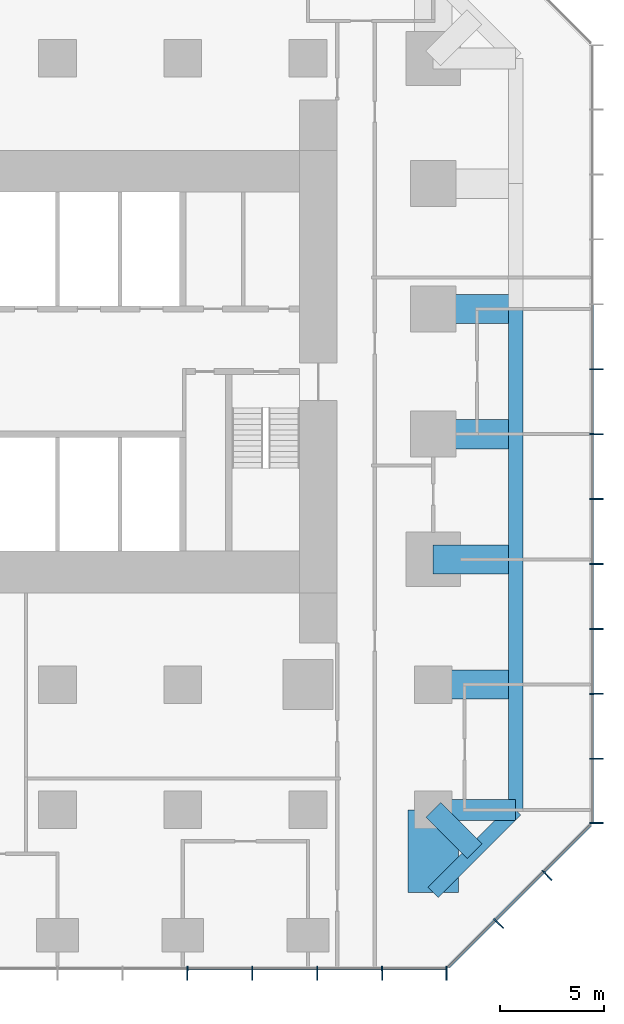
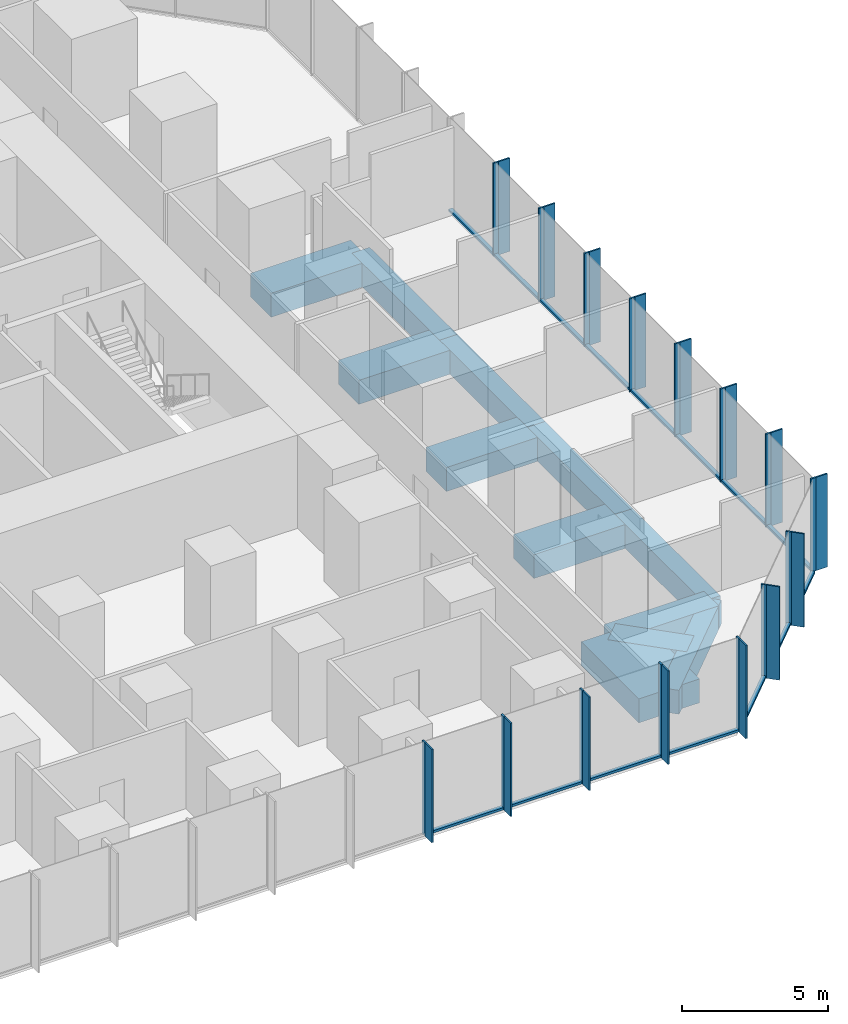
# One storey, part 4 of 12: 45 members, 12 beams, 3 elements without a shape of their own.
"""IFC4 building model written with IfcOpenShell, lengths in metres."""

from ifc_helpers import new_model, si_unit, direction, frame, origin, origin_2d, place, context, subcontext, project, spatial, rectangle, extrude, material, layer, layer_set, material_profile, profile_set, type_object, element, aggregate, save


model = new_model("IFC4")

# Units and contexts
model_context = context("Model", 3, precision=1e-05, world=origin(), true_north=direction((0.0, 1.0)))
body_context = subcontext(model_context, "Body", "Model", "MODEL_VIEW")
ifc_project = project(units=[si_unit("LENGTHUNIT", "METRE"), si_unit("AREAUNIT", "SQUARE_METRE"), si_unit("VOLUMEUNIT", "CUBIC_METRE"), si_unit("PLANEANGLEUNIT", "RADIAN"), si_unit("MASSUNIT", "GRAM", prefix="KILO")], contexts=[model_context])

# Site, building, storey
site_placement = place(None, origin())
site = spatial("IfcSite", under=ifc_project, at=site_placement, CompositionType="ELEMENT")
building_placement = place(site_placement, origin())
building = spatial("IfcBuilding", under=site, at=building_placement, Name="Highveld Stack Headquarters", CompositionType="ELEMENT")
storey_placement = place(building_placement, frame((0.0, 0.0, 57.199951171875)))
storey = spatial("IfcBuildingStorey", under=building, at=storey_placement, Name="L13", CompositionType="ELEMENT", Elevation=57.199951171875)

# Beams
ifc_material_1 = material(Name="Concrete C60/75", Category="concrete")
ifc_material_profile_1 = material_profile(ifc_material_1, rectangle(XDim=1.0, YDim=1.0, at=origin_2d()), Name="RC 1000x1000")
ifc_profile_set_1 = profile_set([ifc_material_profile_1], Name="Concrete C60/75")
beam_type_1 = type_object("IfcBeamType", Name="CANTILEVER RIB RC 1000x1000", PredefinedType="USERDEFINED", material=ifc_profile_set_1)
beam_1_placement = place(storey_placement, frame((24.0, -18.0, -0.75), z_axis=(1.0, 0.0, 0.0), x_axis=(0.0, 1.0, 0.0)))
element("IfcBeam", 1, at=beam_1_placement, inside=storey, type_object=beam_type_1, Name="Cantilever rib 10/B L13", ObjectType="CANTILEVER RIB", PredefinedType="USERDEFINED", context=body_context, shape_type="SweptSolid", body=[
    extrude(rectangle(XDim=1.0, YDim=1.0, at=origin_2d()), origin(), (0.0, 0.0, 1.0), 3.949951171875),
])
beam_2_placement = place(storey_placement, frame((24.0, -18.0, -0.75), z_axis=(0.707106781187, -0.707106781187, 0.0), x_axis=(0.707106781187, 0.707106781187, 0.0)))
element("IfcBeam", 2, at=beam_2_placement, inside=storey, type_object=beam_type_1, Name="Cantilever rib 10/B L13", ObjectType="CANTILEVER RIB", PredefinedType="USERDEFINED", context=body_context, shape_type="SweptSolid", body=[
    extrude(rectangle(XDim=1.0, YDim=1.0, at=origin_2d()), origin(), (0.0, 0.0, 1.0), 2.793212890625),
])
ifc_material_2 = material(Name="Concrete C60/75", Category="concrete")
ifc_material_profile_2 = material_profile(ifc_material_2, rectangle(XDim=1.39990234375, YDim=1.0, at=origin_2d()), Name="RC 1400x1000")
ifc_profile_set_2 = profile_set([ifc_material_profile_2], Name="Concrete C60/75")
beam_type_2 = type_object("IfcBeamType", Name="CANTILEVER RIB RC 1400x1000", PredefinedType="USERDEFINED", material=ifc_profile_set_2)
for number, where, z_axis, x_axis, name in (
    (3, (24.0, -12.0, -0.75), (1.0, 0.0, 0.0), (0.0, 1.0, 0.0), "Cantilever rib 10/C L13"),
    (4, (24.0, -6.0, -0.75), (1.0, 0.0, 0.0), (0.0, 1.0, 0.0), "Cantilever rib 10/D L13"),
    (5, (24.0, 0.0, -0.75), (1.0, 0.0, 0.0), (0.0, 1.0, 0.0), "Cantilever rib 10/E L13"),
    (6, (24.0, 6.0, -0.75), (1.0, 0.0, 0.0), (0.0, 1.0, 0.0), "Cantilever rib 10/F L13"),
):
    element("IfcBeam", number, at=place(storey_placement, frame(where, z_axis=z_axis, x_axis=x_axis)), inside=storey, type_object=beam_type_2, Name=name, ObjectType="CANTILEVER RIB", PredefinedType="USERDEFINED", context=body_context, shape_type="SweptSolid", body=[
        extrude(rectangle(XDim=1.39990234375, YDim=1.0, at=origin_2d()), origin(), (0.0, 0.0, 1.0), 3.949951171875),
    ])
ifc_material_3 = material(Name="Concrete C60/75", Category="concrete")
ifc_material_profile_3 = material_profile(ifc_material_3, rectangle(XDim=2.39990234375, YDim=1.0, at=origin_2d()), Name="RC 2400x1000")
ifc_profile_set_3 = profile_set([ifc_material_profile_3], Name="Concrete C60/75")
beam_type_3 = type_object("IfcBeamType", Name="CANTILEVER RIB RC 2400x1000", PredefinedType="USERDEFINED", material=ifc_profile_set_3)
beam_3_placement = place(storey_placement, frame((24.0, -18.0, -0.75), z_axis=(0.0, -1.0, 0.0), x_axis=(1.0, 0.0, 0.0)))
element("IfcBeam", 7, at=beam_3_placement, inside=storey, type_object=beam_type_3, Name="Cantilever rib 10/B L13", ObjectType="CANTILEVER RIB", PredefinedType="USERDEFINED", context=body_context, shape_type="SweptSolid", body=[
    extrude(rectangle(XDim=2.39990234375, YDim=1.0, at=origin_2d()), origin(), (0.0, 0.0, 1.0), 3.949951171875),
])

# Curtain wall, members
ifc_material_4 = material(Name="Aluminium bronze anodised", Category="aluminium")
ifc_layer_1 = layer(ifc_material_4, 0.199951171875)
ifc_layer_set_1 = layer_set([ifc_layer_1], Name="Aluminium bronze anodised")
curtain_wall_type_1 = type_object("IfcCurtainWallType", Name="CW1 TOWER UNITISED CURTAIN WALL", PredefinedType="NOTDEFINED", material=ifc_layer_set_1)
curtain_wall_1_placement = place(storey_placement, origin())
curtain_wall_1 = element("IfcCurtainWall", 8, at=curtain_wall_1_placement, inside=storey, type_object=curtain_wall_type_1, Name="Curtain wall CW1 L13 S", PredefinedType="NOTDEFINED")
ifc_material_5 = material(Name="Aluminium bronze anodised", Category="aluminium")
ifc_material_profile_4 = material_profile(ifc_material_5, rectangle(XDim=0.449951171875, YDim=0.06005859375, at=origin_2d()), Name="FIN 450x60")
ifc_profile_set_4 = profile_set([ifc_material_profile_4], Name="Aluminium bronze anodised")
member_type_1 = type_object("IfcMemberType", Name="CW1 BRONZE FIN 450x60", PredefinedType="USERDEFINED", material=ifc_profile_set_4)
member_1_placement = place(storey_placement, frame((12.220947265625, -25.925048828125, 0.0), z_axis=(0.0, 0.0, 1.0), x_axis=(0.0, 1.0, 0.0)))
member_1 = element("IfcMember", 9, at=member_1_placement, type_object=member_type_1, Name="CW1 fin L13 9", ObjectType="FIN", PredefinedType="USERDEFINED", context=body_context, shape_type="SweptSolid", body=[
    extrude(rectangle(XDim=0.449951171875, YDim=0.06005859375, at=origin_2d()), origin(), (0.0, 0.0, 1.0), 3.900146484375),
])
member_2_placement = place(storey_placement, frame((15.331298828125, -25.925048828125, 0.0), z_axis=(0.0, 0.0, 1.0), x_axis=(0.0, 1.0, 0.0)))
member_2 = element("IfcMember", 10, at=member_2_placement, type_object=member_type_1, Name="CW1 fin L13 10", ObjectType="FIN", PredefinedType="USERDEFINED", context=body_context, shape_type="SweptSolid", body=[
    extrude(rectangle(XDim=0.449951171875, YDim=0.06005859375, at=origin_2d()), origin(), (0.0, 0.0, 1.0), 3.900146484375),
])
member_3_placement = place(storey_placement, frame((18.44189453125, -25.925048828125, 0.0), z_axis=(0.0, 0.0, 1.0), x_axis=(0.0, 1.0, 0.0)))
member_3 = element("IfcMember", 11, at=member_3_placement, type_object=member_type_1, Name="CW1 fin L13 11", ObjectType="FIN", PredefinedType="USERDEFINED", context=body_context, shape_type="SweptSolid", body=[
    extrude(rectangle(XDim=0.449951171875, YDim=0.06005859375, at=origin_2d()), origin(), (0.0, 0.0, 1.0), 3.900146484375),
])
member_4_placement = place(storey_placement, frame((21.55224609375, -25.925048828125, 0.0), z_axis=(0.0, 0.0, 1.0), x_axis=(0.0, 1.0, 0.0)))
member_4 = element("IfcMember", 12, at=member_4_placement, type_object=member_type_1, Name="CW1 fin L13 12", ObjectType="FIN", PredefinedType="USERDEFINED", context=body_context, shape_type="SweptSolid", body=[
    extrude(rectangle(XDim=0.449951171875, YDim=0.06005859375, at=origin_2d()), origin(), (0.0, 0.0, 1.0), 3.900146484375),
])
member_5_placement = place(storey_placement, frame((24.630126953125, -25.925048828125, 0.0), z_axis=(0.0, 0.0, 1.0), x_axis=(0.0, 1.0, 0.0)))
member_5 = element("IfcMember", 13, at=member_5_placement, type_object=member_type_1, Name="CW1 fin L13 13", ObjectType="FIN", PredefinedType="USERDEFINED", context=body_context, shape_type="SweptSolid", body=[
    extrude(rectangle(XDim=0.449951171875, YDim=0.06005859375, at=origin_2d()), origin(), (0.0, 0.0, 1.0), 3.900146484375),
])

curtain_wall_2_placement = place(storey_placement, origin())
curtain_wall_2 = element("IfcCurtainWall", 14, at=curtain_wall_2_placement, inside=storey, type_object=curtain_wall_type_1, Name="Curtain wall CW1 L13 E", PredefinedType="NOTDEFINED")
member_6_placement = place(storey_placement, frame((31.925048828125, -18.630126953125, 0.0), z_axis=(0.0, 0.0, 1.0), x_axis=(-1.0, 0.0, 0.0)))
member_6 = element("IfcMember", 15, at=member_6_placement, type_object=member_type_1, Name="CW1 fin L13 1", ObjectType="FIN", PredefinedType="USERDEFINED", context=body_context, shape_type="SweptSolid", body=[
    extrude(rectangle(XDim=0.449951171875, YDim=0.06005859375, at=origin_2d()), origin(), (0.0, 0.0, 1.0), 3.900146484375),
])
member_7_placement = place(storey_placement, frame((31.925048828125, -15.55224609375, 0.0), z_axis=(0.0, 0.0, 1.0), x_axis=(-1.0, 0.0, 0.0)))
member_7 = element("IfcMember", 16, at=member_7_placement, type_object=member_type_1, Name="CW1 fin L13 2", ObjectType="FIN", PredefinedType="USERDEFINED", context=body_context, shape_type="SweptSolid", body=[
    extrude(rectangle(XDim=0.449951171875, YDim=0.06005859375, at=origin_2d()), origin(), (0.0, 0.0, 1.0), 3.900146484375),
])
member_8_placement = place(storey_placement, frame((31.925048828125, -12.44189453125, 0.0), z_axis=(0.0, 0.0, 1.0), x_axis=(-1.0, 0.0, 0.0)))
member_8 = element("IfcMember", 17, at=member_8_placement, type_object=member_type_1, Name="CW1 fin L13 3", ObjectType="FIN", PredefinedType="USERDEFINED", context=body_context, shape_type="SweptSolid", body=[
    extrude(rectangle(XDim=0.449951171875, YDim=0.06005859375, at=origin_2d()), origin(), (0.0, 0.0, 1.0), 3.900146484375),
])
member_9_placement = place(storey_placement, frame((31.925048828125, -9.331298828125, 0.0), z_axis=(0.0, 0.0, 1.0), x_axis=(-1.0, 0.0, 0.0)))
member_9 = element("IfcMember", 18, at=member_9_placement, type_object=member_type_1, Name="CW1 fin L13 4", ObjectType="FIN", PredefinedType="USERDEFINED", context=body_context, shape_type="SweptSolid", body=[
    extrude(rectangle(XDim=0.449951171875, YDim=0.06005859375, at=origin_2d()), origin(), (0.0, 0.0, 1.0), 3.900146484375),
])
member_10_placement = place(storey_placement, frame((31.925048828125, -6.220947265625, 0.0), z_axis=(0.0, 0.0, 1.0), x_axis=(-1.0, 0.0, 0.0)))
member_10 = element("IfcMember", 19, at=member_10_placement, type_object=member_type_1, Name="CW1 fin L13 5", ObjectType="FIN", PredefinedType="USERDEFINED", context=body_context, shape_type="SweptSolid", body=[
    extrude(rectangle(XDim=0.449951171875, YDim=0.06005859375, at=origin_2d()), origin(), (0.0, 0.0, 1.0), 3.900146484375),
])
member_11_placement = place(storey_placement, frame((31.925048828125, -3.110595703125, 0.0), z_axis=(0.0, 0.0, 1.0), x_axis=(-1.0, 0.0, 0.0)))
member_11 = element("IfcMember", 20, at=member_11_placement, type_object=member_type_1, Name="CW1 fin L13 6", ObjectType="FIN", PredefinedType="USERDEFINED", context=body_context, shape_type="SweptSolid", body=[
    extrude(rectangle(XDim=0.449951171875, YDim=0.06005859375, at=origin_2d()), origin(), (0.0, 0.0, 1.0), 3.900146484375),
])
member_12_placement = place(storey_placement, frame((31.925048828125, 0.0, 0.0), z_axis=(0.0, 0.0, 1.0), x_axis=(-1.0, 0.0, 0.0)))
member_12 = element("IfcMember", 21, at=member_12_placement, type_object=member_type_1, Name="CW1 fin L13 7", ObjectType="FIN", PredefinedType="USERDEFINED", context=body_context, shape_type="SweptSolid", body=[
    extrude(rectangle(XDim=0.449951171875, YDim=0.06005859375, at=origin_2d()), origin(), (0.0, 0.0, 1.0), 3.900146484375),
])
member_13_placement = place(storey_placement, frame((31.925048828125, 3.110595703125, 0.0), z_axis=(0.0, 0.0, 1.0), x_axis=(-1.0, 0.0, 0.0)))
member_13 = element("IfcMember", 22, at=member_13_placement, type_object=member_type_1, Name="CW1 fin L13 8", ObjectType="FIN", PredefinedType="USERDEFINED", context=body_context, shape_type="SweptSolid", body=[
    extrude(rectangle(XDim=0.449951171875, YDim=0.06005859375, at=origin_2d()), origin(), (0.0, 0.0, 1.0), 3.900146484375),
])

# Member
ifc_material_6 = material(Name="Aluminium bronze anodised", Category="aluminium")
ifc_material_profile_5 = material_profile(ifc_material_6, rectangle(XDim=0.199951171875, YDim=0.06494140625, at=origin_2d()), Name="CW1 MULLION 65x200")
ifc_profile_set_5 = profile_set([ifc_material_profile_5], Name="Aluminium bronze anodised")
member_type_2 = type_object("IfcMemberType", Name="CW1 MULLION 65x200", PredefinedType="MULLION", material=ifc_profile_set_5)
member_14_placement = place(storey_placement, frame((12.220947265625, -25.60009765625, 0.0), z_axis=(0.0, 0.0, 1.0), x_axis=(0.0, 1.0, 0.0)))
member_14 = element("IfcMember", 23, at=member_14_placement, type_object=member_type_2, Name="CW1 mullion L13 9", PredefinedType="MULLION", context=body_context, shape_type="SweptSolid", body=[
    extrude(rectangle(XDim=0.199951171875, YDim=0.06494140625, at=origin_2d()), origin(), (0.0, 0.0, 1.0), 3.900146484375),
])

member_15_placement = place(storey_placement, frame((15.331298828125, -25.60009765625, 0.0), z_axis=(0.0, 0.0, 1.0), x_axis=(0.0, 1.0, 0.0)))
member_15 = element("IfcMember", 24, at=member_15_placement, type_object=member_type_2, Name="CW1 mullion L13 10", PredefinedType="MULLION", context=body_context, shape_type="SweptSolid", body=[
    extrude(rectangle(XDim=0.199951171875, YDim=0.06494140625, at=origin_2d()), origin(), (0.0, 0.0, 1.0), 3.900146484375),
])

member_16_placement = place(storey_placement, frame((18.44189453125, -25.60009765625, 0.0), z_axis=(0.0, 0.0, 1.0), x_axis=(0.0, 1.0, 0.0)))
member_16 = element("IfcMember", 25, at=member_16_placement, type_object=member_type_2, Name="CW1 mullion L13 11", PredefinedType="MULLION", context=body_context, shape_type="SweptSolid", body=[
    extrude(rectangle(XDim=0.199951171875, YDim=0.06494140625, at=origin_2d()), origin(), (0.0, 0.0, 1.0), 3.900146484375),
])

member_17_placement = place(storey_placement, frame((21.55224609375, -25.60009765625, 0.0), z_axis=(0.0, 0.0, 1.0), x_axis=(0.0, 1.0, 0.0)))
member_17 = element("IfcMember", 26, at=member_17_placement, type_object=member_type_2, Name="CW1 mullion L13 12", PredefinedType="MULLION", context=body_context, shape_type="SweptSolid", body=[
    extrude(rectangle(XDim=0.199951171875, YDim=0.06494140625, at=origin_2d()), origin(), (0.0, 0.0, 1.0), 3.900146484375),
])

member_18_placement = place(storey_placement, frame((24.630126953125, -25.60009765625, 0.0), z_axis=(0.0, 0.0, 1.0), x_axis=(0.0, 1.0, 0.0)))
member_18 = element("IfcMember", 27, at=member_18_placement, type_object=member_type_2, Name="CW1 mullion L13 13", PredefinedType="MULLION", context=body_context, shape_type="SweptSolid", body=[
    extrude(rectangle(XDim=0.199951171875, YDim=0.06494140625, at=origin_2d()), origin(), (0.0, 0.0, 1.0), 3.900146484375),
])

member_19_placement = place(storey_placement, frame((31.60009765625, -18.630126953125, 0.0), z_axis=(0.0, 0.0, 1.0), x_axis=(-1.0, 0.0, 0.0)))
member_19 = element("IfcMember", 28, at=member_19_placement, type_object=member_type_2, Name="CW1 mullion L13 1", PredefinedType="MULLION", context=body_context, shape_type="SweptSolid", body=[
    extrude(rectangle(XDim=0.199951171875, YDim=0.06494140625, at=origin_2d()), origin(), (0.0, 0.0, 1.0), 3.900146484375),
])

member_20_placement = place(storey_placement, frame((31.60009765625, -15.55224609375, 0.0), z_axis=(0.0, 0.0, 1.0), x_axis=(-1.0, 0.0, 0.0)))
member_20 = element("IfcMember", 29, at=member_20_placement, type_object=member_type_2, Name="CW1 mullion L13 2", PredefinedType="MULLION", context=body_context, shape_type="SweptSolid", body=[
    extrude(rectangle(XDim=0.199951171875, YDim=0.06494140625, at=origin_2d()), origin(), (0.0, 0.0, 1.0), 3.900146484375),
])

member_21_placement = place(storey_placement, frame((31.60009765625, -12.44189453125, 0.0), z_axis=(0.0, 0.0, 1.0), x_axis=(-1.0, 0.0, 0.0)))
member_21 = element("IfcMember", 30, at=member_21_placement, type_object=member_type_2, Name="CW1 mullion L13 3", PredefinedType="MULLION", context=body_context, shape_type="SweptSolid", body=[
    extrude(rectangle(XDim=0.199951171875, YDim=0.06494140625, at=origin_2d()), origin(), (0.0, 0.0, 1.0), 3.900146484375),
])

member_22_placement = place(storey_placement, frame((31.60009765625, -9.331298828125, 0.0), z_axis=(0.0, 0.0, 1.0), x_axis=(-1.0, 0.0, 0.0)))
member_22 = element("IfcMember", 31, at=member_22_placement, type_object=member_type_2, Name="CW1 mullion L13 4", PredefinedType="MULLION", context=body_context, shape_type="SweptSolid", body=[
    extrude(rectangle(XDim=0.199951171875, YDim=0.06494140625, at=origin_2d()), origin(), (0.0, 0.0, 1.0), 3.900146484375),
])

member_23_placement = place(storey_placement, frame((31.60009765625, -6.220947265625, 0.0), z_axis=(0.0, 0.0, 1.0), x_axis=(-1.0, 0.0, 0.0)))
member_23 = element("IfcMember", 32, at=member_23_placement, type_object=member_type_2, Name="CW1 mullion L13 5", PredefinedType="MULLION", context=body_context, shape_type="SweptSolid", body=[
    extrude(rectangle(XDim=0.199951171875, YDim=0.06494140625, at=origin_2d()), origin(), (0.0, 0.0, 1.0), 3.900146484375),
])

member_24_placement = place(storey_placement, frame((31.60009765625, -3.110595703125, 0.0), z_axis=(0.0, 0.0, 1.0), x_axis=(-1.0, 0.0, 0.0)))
member_24 = element("IfcMember", 33, at=member_24_placement, type_object=member_type_2, Name="CW1 mullion L13 6", PredefinedType="MULLION", context=body_context, shape_type="SweptSolid", body=[
    extrude(rectangle(XDim=0.199951171875, YDim=0.06494140625, at=origin_2d()), origin(), (0.0, 0.0, 1.0), 3.900146484375),
])

member_25_placement = place(storey_placement, frame((31.60009765625, 0.0, 0.0), z_axis=(0.0, 0.0, 1.0), x_axis=(-1.0, 0.0, 0.0)))
member_25 = element("IfcMember", 34, at=member_25_placement, type_object=member_type_2, Name="CW1 mullion L13 7", PredefinedType="MULLION", context=body_context, shape_type="SweptSolid", body=[
    extrude(rectangle(XDim=0.199951171875, YDim=0.06494140625, at=origin_2d()), origin(), (0.0, 0.0, 1.0), 3.900146484375),
])

member_26_placement = place(storey_placement, frame((31.60009765625, 3.110595703125, 0.0), z_axis=(0.0, 0.0, 1.0), x_axis=(-1.0, 0.0, 0.0)))
member_26 = element("IfcMember", 35, at=member_26_placement, type_object=member_type_2, Name="CW1 mullion L13 8", PredefinedType="MULLION", context=body_context, shape_type="SweptSolid", body=[
    extrude(rectangle(XDim=0.199951171875, YDim=0.06494140625, at=origin_2d()), origin(), (0.0, 0.0, 1.0), 3.900146484375),
])

ifc_material_7 = material(Name="Aluminium bronze anodised", Category="aluminium")
ifc_material_profile_6 = material_profile(ifc_material_7, rectangle(XDim=0.14990234375, YDim=0.10009765625, at=origin_2d()), Name="CW1 TRANSOM 150x100")
ifc_profile_set_6 = profile_set([ifc_material_profile_6], Name="Aluminium bronze anodised")
member_type_3 = type_object("IfcMemberType", Name="CW1 STACK TRANSOM 150x100", PredefinedType="USERDEFINED", material=ifc_profile_set_6)
member_27_placement = place(storey_placement, frame((12.25341796875, -25.60009765625, 0.050048828125), z_axis=(1.0, 0.0, 0.0), x_axis=(0.0, 1.0, 0.0)))
member_27 = element("IfcMember", 36, at=member_27_placement, type_object=member_type_3, Name="CW1 transom L13 9.1", ObjectType="TRANSOM", PredefinedType="USERDEFINED", context=body_context, shape_type="SweptSolid", body=[
    extrude(rectangle(XDim=0.14990234375, YDim=0.10009765625, at=origin_2d()), origin(), (0.0, 0.0, 1.0), 3.04541015625),
])

member_28_placement = place(storey_placement, frame((15.364013671875, -25.60009765625, 0.050048828125), z_axis=(1.0, 0.0, 0.0), x_axis=(0.0, 1.0, 0.0)))
member_28 = element("IfcMember", 37, at=member_28_placement, type_object=member_type_3, Name="CW1 transom L13 10.1", ObjectType="TRANSOM", PredefinedType="USERDEFINED", context=body_context, shape_type="SweptSolid", body=[
    extrude(rectangle(XDim=0.14990234375, YDim=0.10009765625, at=origin_2d()), origin(), (0.0, 0.0, 1.0), 3.045166015625),
])

member_29_placement = place(storey_placement, frame((18.474365234375, -25.60009765625, 0.050048828125), z_axis=(1.0, 0.0, 0.0), x_axis=(0.0, 1.0, 0.0)))
member_29 = element("IfcMember", 38, at=member_29_placement, type_object=member_type_3, Name="CW1 transom L13 11.1", ObjectType="TRANSOM", PredefinedType="USERDEFINED", context=body_context, shape_type="SweptSolid", body=[
    extrude(rectangle(XDim=0.14990234375, YDim=0.10009765625, at=origin_2d()), origin(), (0.0, 0.0, 1.0), 3.04541015625),
])

member_30_placement = place(storey_placement, frame((21.584716796875, -25.60009765625, 0.050048828125), z_axis=(1.0, 0.0, 0.0), x_axis=(0.0, 1.0, 0.0)))
member_30 = element("IfcMember", 39, at=member_30_placement, type_object=member_type_3, Name="CW1 transom L13 12.1", ObjectType="TRANSOM", PredefinedType="USERDEFINED", context=body_context, shape_type="SweptSolid", body=[
    extrude(rectangle(XDim=0.14990234375, YDim=0.10009765625, at=origin_2d()), origin(), (0.0, 0.0, 1.0), 3.012939453125),
])

aggregate(curtain_wall_1, [member_14, member_1, member_15, member_2, member_16, member_3, member_17, member_4, member_18, member_5, member_27, member_28, member_29, member_30])

member_31_placement = place(storey_placement, frame((31.60009765625, -18.59765625, 0.050048828125), z_axis=(0.0, 1.0, 0.0), x_axis=(-1.0, 0.0, 0.0)))
member_31 = element("IfcMember", 40, at=member_31_placement, type_object=member_type_3, Name="CW1 transom L13 1.1", ObjectType="TRANSOM", PredefinedType="USERDEFINED", context=body_context, shape_type="SweptSolid", body=[
    extrude(rectangle(XDim=0.14990234375, YDim=0.10009765625, at=origin_2d()), origin(), (0.0, 0.0, 1.0), 3.012939453125),
])

member_32_placement = place(storey_placement, frame((31.60009765625, -15.519775390625, 0.050048828125), z_axis=(0.0, 1.0, 0.0), x_axis=(-1.0, 0.0, 0.0)))
member_32 = element("IfcMember", 41, at=member_32_placement, type_object=member_type_3, Name="CW1 transom L13 2.1", ObjectType="TRANSOM", PredefinedType="USERDEFINED", context=body_context, shape_type="SweptSolid", body=[
    extrude(rectangle(XDim=0.14990234375, YDim=0.10009765625, at=origin_2d()), origin(), (0.0, 0.0, 1.0), 3.04541015625),
])

member_33_placement = place(storey_placement, frame((31.60009765625, -12.4091796875, 0.050048828125), z_axis=(0.0, 1.0, 0.0), x_axis=(-1.0, 0.0, 0.0)))
member_33 = element("IfcMember", 42, at=member_33_placement, type_object=member_type_3, Name="CW1 transom L13 3.1", ObjectType="TRANSOM", PredefinedType="USERDEFINED", context=body_context, shape_type="SweptSolid", body=[
    extrude(rectangle(XDim=0.14990234375, YDim=0.10009765625, at=origin_2d()), origin(), (0.0, 0.0, 1.0), 3.045166015625),
])

member_34_placement = place(storey_placement, frame((31.60009765625, -9.298828125, 0.050048828125), z_axis=(0.0, 1.0, 0.0), x_axis=(-1.0, 0.0, 0.0)))
member_34 = element("IfcMember", 43, at=member_34_placement, type_object=member_type_3, Name="CW1 transom L13 4.1", ObjectType="TRANSOM", PredefinedType="USERDEFINED", context=body_context, shape_type="SweptSolid", body=[
    extrude(rectangle(XDim=0.14990234375, YDim=0.10009765625, at=origin_2d()), origin(), (0.0, 0.0, 1.0), 3.04541015625),
])

member_35_placement = place(storey_placement, frame((31.60009765625, -6.1884765625, 0.050048828125), z_axis=(0.0, 1.0, 0.0), x_axis=(-1.0, 0.0, 0.0)))
member_35 = element("IfcMember", 44, at=member_35_placement, type_object=member_type_3, Name="CW1 transom L13 5.1", ObjectType="TRANSOM", PredefinedType="USERDEFINED", context=body_context, shape_type="SweptSolid", body=[
    extrude(rectangle(XDim=0.14990234375, YDim=0.10009765625, at=origin_2d()), origin(), (0.0, 0.0, 1.0), 3.04541015625),
])

member_36_placement = place(storey_placement, frame((31.60009765625, -3.077880859375, 0.050048828125), z_axis=(0.0, 1.0, 0.0), x_axis=(-1.0, 0.0, 0.0)))
member_36 = element("IfcMember", 45, at=member_36_placement, type_object=member_type_3, Name="CW1 transom L13 6.1", ObjectType="TRANSOM", PredefinedType="USERDEFINED", context=body_context, shape_type="SweptSolid", body=[
    extrude(rectangle(XDim=0.14990234375, YDim=0.10009765625, at=origin_2d()), origin(), (0.0, 0.0, 1.0), 3.04541015625),
])

member_37_placement = place(storey_placement, frame((31.60009765625, 0.032470703125, 0.050048828125), z_axis=(0.0, 1.0, 0.0), x_axis=(-1.0, 0.0, 0.0)))
member_37 = element("IfcMember", 46, at=member_37_placement, type_object=member_type_3, Name="CW1 transom L13 7.1", ObjectType="TRANSOM", PredefinedType="USERDEFINED", context=body_context, shape_type="SweptSolid", body=[
    extrude(rectangle(XDim=0.14990234375, YDim=0.10009765625, at=origin_2d()), origin(), (0.0, 0.0, 1.0), 3.04541015625),
])

member_38_placement = place(storey_placement, frame((31.60009765625, 3.142822265625, 0.050048828125), z_axis=(0.0, 1.0, 0.0), x_axis=(-1.0, 0.0, 0.0)))
member_38 = element("IfcMember", 47, at=member_38_placement, type_object=member_type_3, Name="CW1 transom L13 8.1", ObjectType="TRANSOM", PredefinedType="USERDEFINED", context=body_context, shape_type="SweptSolid", body=[
    extrude(rectangle(XDim=0.14990234375, YDim=0.10009765625, at=origin_2d()), origin(), (0.0, 0.0, 1.0), 3.045654296875),
])

aggregate(curtain_wall_2, [member_19, member_6, member_20, member_7, member_21, member_8, member_22, member_9, member_23, member_10, member_24, member_11, member_25, member_12, member_26, member_13, member_31, member_32, member_33, member_34, member_35, member_36, member_37, member_38])

# Curtain wall, members
ifc_material_8 = material(Name="Aluminium bronze anodised", Category="aluminium")
ifc_layer_2 = layer(ifc_material_8, 0.199951171875)
ifc_layer_set_2 = layer_set([ifc_layer_2], Name="Aluminium bronze anodised")
curtain_wall_type_2 = type_object("IfcCurtainWallType", Name="CW2 TOWER CHAMFER UNITISED CURTAIN WALL", PredefinedType="NOTDEFINED", material=ifc_layer_set_2)
curtain_wall_3_placement = place(storey_placement, origin())
curtain_wall_3 = element("IfcCurtainWall", 48, at=curtain_wall_3_placement, inside=storey, type_object=curtain_wall_type_2, Name="Curtain wall CW2 L13 SE", PredefinedType="NOTDEFINED")
ifc_material_9 = material(Name="Aluminium bronze anodised", Category="aluminium")
ifc_material_profile_7 = material_profile(ifc_material_9, rectangle(XDim=0.449951171875, YDim=0.06005859375, at=origin_2d()), Name="FIN 450x60")
ifc_profile_set_7 = profile_set([ifc_material_profile_7], Name="Aluminium bronze anodised")
member_type_4 = type_object("IfcMemberType", Name="CW2 BRONZE FIN 450x60", PredefinedType="USERDEFINED", material=ifc_profile_set_7)
member_39_placement = place(storey_placement, frame((27.204833984375, -23.517333984375, 0.0), z_axis=(0.0, 0.0, 1.0), x_axis=(-0.707106781187, 0.707106781187, 0.0)))
member_39 = element("IfcMember", 49, at=member_39_placement, type_object=member_type_4, Name="CW2 fin L13 1", ObjectType="FIN", PredefinedType="USERDEFINED", context=body_context, shape_type="SweptSolid", body=[
    extrude(rectangle(XDim=0.449951171875, YDim=0.06005859375, at=origin_2d()), origin(), (0.0, 0.0, 1.0), 3.900146484375),
])
member_40_placement = place(storey_placement, frame((29.517333984375, -21.204833984375, 0.0), z_axis=(0.0, 0.0, 1.0), x_axis=(-0.707106781187, 0.707106781187, 0.0)))
member_40 = element("IfcMember", 50, at=member_40_placement, type_object=member_type_4, Name="CW2 fin L13 2", ObjectType="FIN", PredefinedType="USERDEFINED", context=body_context, shape_type="SweptSolid", body=[
    extrude(rectangle(XDim=0.449951171875, YDim=0.06005859375, at=origin_2d()), origin(), (0.0, 0.0, 1.0), 3.900146484375),
])
ifc_material_10 = material(Name="Aluminium bronze anodised", Category="aluminium")
ifc_material_profile_8 = material_profile(ifc_material_10, rectangle(XDim=0.199951171875, YDim=0.06494140625, at=origin_2d()), Name="CW2 MULLION 65x200")
ifc_profile_set_8 = profile_set([ifc_material_profile_8], Name="Aluminium bronze anodised")
member_type_5 = type_object("IfcMemberType", Name="CW2 MULLION 65x200", PredefinedType="MULLION", material=ifc_profile_set_8)
member_41_placement = place(storey_placement, frame((26.97509765625, -23.28759765625, 0.0), z_axis=(0.0, 0.0, 1.0), x_axis=(-0.707106781187, 0.707106781187, 0.0)))
member_41 = element("IfcMember", 51, at=member_41_placement, type_object=member_type_5, Name="CW2 mullion L13 1", PredefinedType="MULLION", context=body_context, shape_type="SweptSolid", body=[
    extrude(rectangle(XDim=0.199951171875, YDim=0.06494140625, at=origin_2d()), origin(), (0.0, 0.0, 1.0), 3.900146484375),
])
member_42_placement = place(storey_placement, frame((29.28759765625, -20.97509765625, 0.0), z_axis=(0.0, 0.0, 1.0), x_axis=(-0.707106781187, 0.707106781187, 0.0)))
member_42 = element("IfcMember", 52, at=member_42_placement, type_object=member_type_5, Name="CW2 mullion L13 2", PredefinedType="MULLION", context=body_context, shape_type="SweptSolid", body=[
    extrude(rectangle(XDim=0.199951171875, YDim=0.06494140625, at=origin_2d()), origin(), (0.0, 0.0, 1.0), 3.900146484375),
])
ifc_material_11 = material(Name="Aluminium bronze anodised", Category="aluminium")
ifc_material_profile_9 = material_profile(ifc_material_11, rectangle(XDim=0.14990234375, YDim=0.10009765625, at=origin_2d()), Name="CW2 TRANSOM 150x100")
ifc_profile_set_9 = profile_set([ifc_material_profile_9], Name="Aluminium bronze anodised")
member_type_6 = type_object("IfcMemberType", Name="CW2 STACK TRANSOM 150x100", PredefinedType="USERDEFINED", material=ifc_profile_set_9)
member_43_placement = place(storey_placement, frame((24.7333984375, -25.529296875, 0.050048828125), z_axis=(0.707106781187, 0.707106781187, 0.0), x_axis=(-0.707106781187, 0.707106781187, 0.0)))
member_43 = element("IfcMember", 53, at=member_43_placement, type_object=member_type_6, Name="CW2 transom L13 1.1", ObjectType="TRANSOM", PredefinedType="USERDEFINED", context=body_context, shape_type="SweptSolid", body=[
    extrude(rectangle(XDim=0.14990234375, YDim=0.10009765625, at=origin_2d()), origin(), (0.0, 0.0, 1.0), 3.1376953125),
])
member_44_placement = place(storey_placement, frame((26.998046875, -23.2646484375, 0.050048828125), z_axis=(0.707106781187, 0.707106781187, 0.0), x_axis=(-0.707106781187, 0.707106781187, 0.0)))
member_44 = element("IfcMember", 54, at=member_44_placement, type_object=member_type_6, Name="CW2 transom L13 2.1", ObjectType="TRANSOM", PredefinedType="USERDEFINED", context=body_context, shape_type="SweptSolid", body=[
    extrude(rectangle(XDim=0.14990234375, YDim=0.10009765625, at=origin_2d()), origin(), (0.0, 0.0, 1.0), 3.20556640625),
])
member_45_placement = place(storey_placement, frame((29.310546875, -20.9521484375, 0.050048828125), z_axis=(0.707106781187, 0.707106781187, 0.0), x_axis=(-0.707106781187, 0.707106781187, 0.0)))
member_45 = element("IfcMember", 55, at=member_45_placement, type_object=member_type_6, Name="CW2 transom L13 3.1", ObjectType="TRANSOM", PredefinedType="USERDEFINED", context=body_context, shape_type="SweptSolid", body=[
    extrude(rectangle(XDim=0.14990234375, YDim=0.10009765625, at=origin_2d()), origin(), (0.0, 0.0, 1.0), 3.1376953125),
])
aggregate(curtain_wall_3, [member_41, member_39, member_42, member_40, member_43, member_44, member_45])

# Beams
ifc_material_12 = material(Name="Concrete C60/75", Category="concrete")
ifc_material_profile_10 = material_profile(ifc_material_12, rectangle(XDim=0.699951171875, YDim=1.0, at=origin_2d()), Name="RC 700x1000")
ifc_profile_set_10 = profile_set([ifc_material_profile_10], Name="Concrete C60/75")
beam_type_4 = type_object("IfcBeamType", Name="RIB TIP BEAM RC 700x1000", PredefinedType="SPANDREL", material=ifc_profile_set_10)
for number, where, z_axis, x_axis, name in (
    (56, (27.949951171875, -18.0, -0.75), (0.0, 1.0, 0.0), (-1.0, 0.0, 0.0), "Rib tip beam 10/B to 10/C L13"),
    (57, (27.949951171875, -12.0, -0.75), (0.0, 1.0, 0.0), (-1.0, 0.0, 0.0), "Rib tip beam 10/C to 10/D L13"),
    (58, (27.949951171875, -6.0, -0.75), (0.0, 1.0, 0.0), (-1.0, 0.0, 0.0), "Rib tip beam 10/D to 10/E L13"),
    (59, (27.949951171875, 0.0, -0.75), (0.0, 1.0, 0.0), (-1.0, 0.0, 0.0), "Rib tip beam 10/E to 10/F L13"),
):
    element("IfcBeam", number, at=place(storey_placement, frame(where, z_axis=z_axis, x_axis=x_axis)), inside=storey, type_object=beam_type_4, Name=name, PredefinedType="SPANDREL", context=body_context, shape_type="SweptSolid", body=[
        extrude(rectangle(XDim=0.699951171875, YDim=1.0, at=origin_2d()), origin(), (0.0, 0.0, 1.0), 6.0),
    ])
beam_4_placement = place(storey_placement, frame((27.949951171875, -18.0, -0.75), z_axis=(-0.707106781187, -0.707106781187, 0.0), x_axis=(0.707106781187, -0.707106781187, 0.0)))
element("IfcBeam", 60, at=beam_4_placement, inside=storey, type_object=beam_type_4, Name="Rib tip beam 10/B corner L13", PredefinedType="SPANDREL", context=body_context, shape_type="SweptSolid", body=[
    extrude(rectangle(XDim=0.699951171875, YDim=1.0, at=origin_2d()), origin(), (0.0, 0.0, 1.0), 5.586181640625),
])

save(model, "model.ifc")
